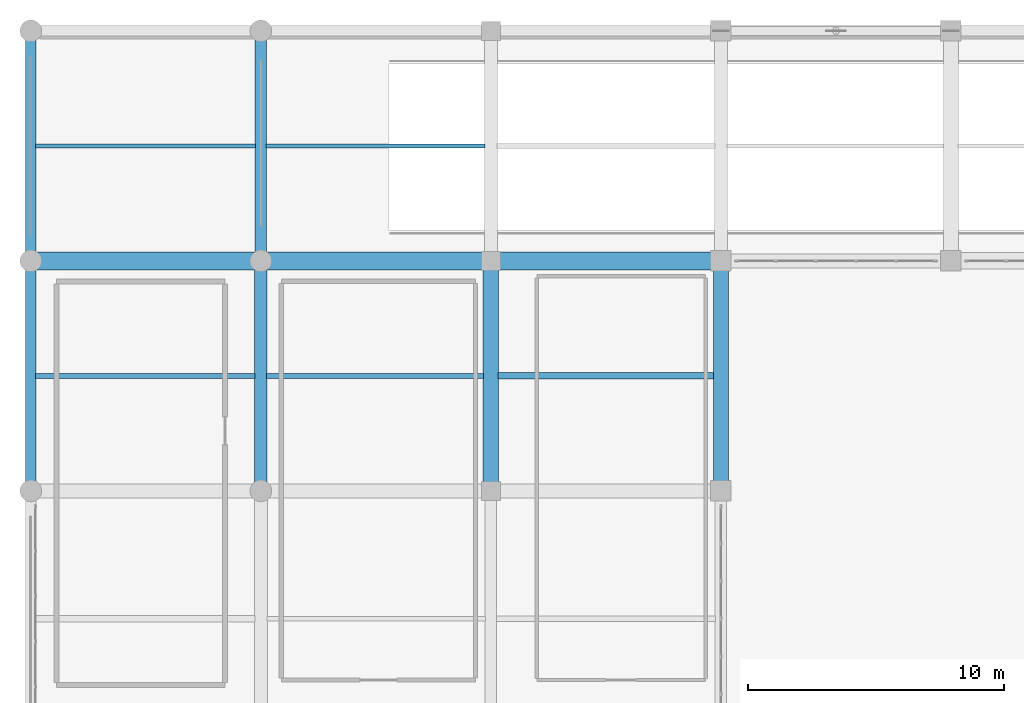
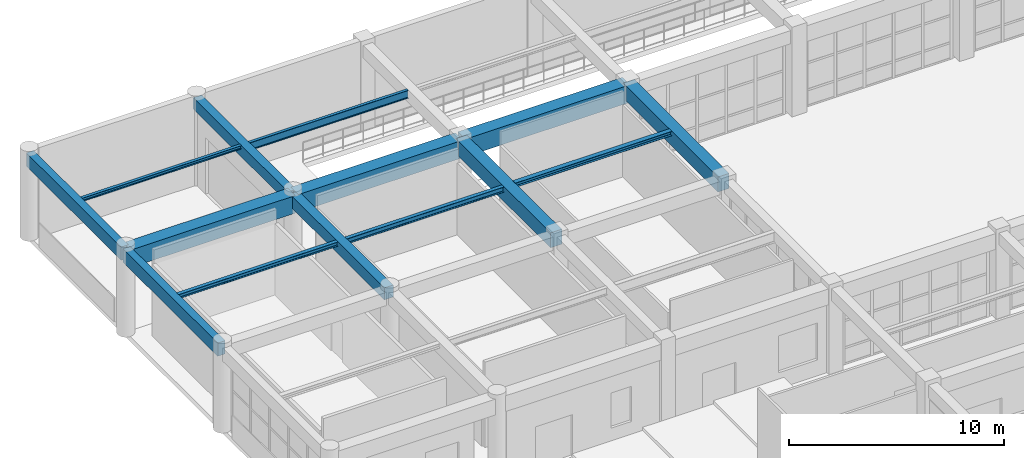
# One storey, part 59 of 128: 14 beams.
"""IFC4 building model written with IfcOpenShell, lengths in metres."""

from ifc_helpers import new_model, si_unit, direction, frame, origin, origin_2d, place, context, subcontext, project, spatial, rectangle, i_section, extrude, material, material_profile, profile_set, type_object, element, save


model = new_model("IFC4")

# Units and contexts
model_context = context("Model", 3, precision=1e-05, world=origin(), true_north=direction((0.0, 1.0)))
body_context = subcontext(model_context, "Body", "Model", "MODEL_VIEW")
ifc_project = project(units=[si_unit("LENGTHUNIT", "METRE"), si_unit("AREAUNIT", "SQUARE_METRE"), si_unit("VOLUMEUNIT", "CUBIC_METRE"), si_unit("PLANEANGLEUNIT", "RADIAN"), si_unit("MASSUNIT", "GRAM", prefix="KILO")], contexts=[model_context])

# Site, building, storey
site_placement = place(None, origin())
site = spatial("IfcSite", under=ifc_project, at=site_placement, CompositionType="ELEMENT")
building_placement = place(site_placement, origin())
building = spatial("IfcBuilding", under=site, at=building_placement, Name="Miravela Opera House", CompositionType="ELEMENT")
storey_placement = place(building_placement, origin())
storey = spatial("IfcBuildingStorey", under=building, at=storey_placement, Name="L00", CompositionType="ELEMENT", Elevation=0.0)

# Beams
ifc_material_1 = material(Name="Concrete C35/45", Category="concrete")
ifc_material_profile_1 = material_profile(ifc_material_1, rectangle(XDim=0.449951171875, YDim=0.64990234375, at=origin_2d()), Name="RC-BM-450X650")
ifc_profile_set_1 = profile_set([ifc_material_profile_1])
beam_type_1 = type_object("IfcBeamType", Name="STR-BM-RC450X650", PredefinedType="BEAM", material=ifc_profile_set_1)
beam_1_placement = place(storey_placement, frame((9.0, 103.080078125, 4.52490234375), z_axis=(0.0, 1.0, 0.0), x_axis=(-1.0, 0.0, 0.0)))
element("IfcBeam", 1, at=beam_1_placement, inside=storey, type_object=beam_type_1, Name="Floor Girder L00 2/L-M", PredefinedType="BEAM", context=body_context, shape_type="SweptSolid", body=[
    extrude(rectangle(XDim=0.449951171875, YDim=0.64990234375, at=origin_2d()), origin(), (0.0, 0.0, 1.0), 8.83984375),
])
ifc_material_profile_2 = material_profile(ifc_material_1, rectangle(XDim=0.47998046875, YDim=0.679931640625, at=origin_2d()), Name="RC-BM-480X680")
ifc_profile_set_2 = profile_set([ifc_material_profile_2])
beam_type_2 = type_object("IfcBeamType", Name="STR-BM-RC480X680", PredefinedType="BEAM", material=ifc_profile_set_2)
beam_2_placement = place(storey_placement, frame((9.0, 94.080078125, 4.510009765625), z_axis=(0.0, 1.0, 0.0), x_axis=(-1.0, 0.0, 0.0)))
element("IfcBeam", 2, at=beam_2_placement, inside=storey, type_object=beam_type_2, Name="Floor Girder L00 2/K-L", PredefinedType="BEAM", context=body_context, shape_type="SweptSolid", body=[
    extrude(rectangle(XDim=0.47998046875, YDim=0.679931640625, at=origin_2d()), origin(), (0.0, 0.0, 1.0), 8.83984375),
])
ifc_material_2 = material(Name="Concrete C40/50", Category="concrete")
ifc_material_profile_3 = material_profile(ifc_material_2, rectangle(XDim=0.60009765625, YDim=0.85009765625, at=origin_2d()), Name="RC-BM-600X850")
ifc_profile_set_3 = profile_set([ifc_material_profile_3])
beam_type_3 = type_object("IfcBeamType", Name="STR-BM-RC600X850", PredefinedType="BEAM", material=ifc_profile_set_3)
for number, where, z_axis, x_axis, name in (
    (3, (18.0, 94.080078125, 4.425048828125), (0.0, 1.0, 0.0), (-1.0, 0.0, 0.0), "Floor Girder L00 3/K-L"),
    (4, (27.0, 94.080078125, 4.445068359375), (0.0, 1.0, 0.0), (-1.0, 0.0, 0.0), "Floor Girder L00 4/K-L"),
):
    element("IfcBeam", number, at=place(storey_placement, frame(where, z_axis=z_axis, x_axis=x_axis)), inside=storey, type_object=beam_type_3, Name=name, PredefinedType="BEAM", context=body_context, shape_type="SweptSolid", body=[
        extrude(rectangle(XDim=0.60009765625, YDim=0.85009765625, at=origin_2d()), origin(), (0.0, 0.0, 1.0), 8.83984375),
    ])
ifc_material_profile_4 = material_profile(ifc_material_2, rectangle(XDim=0.699951171875, YDim=1.0, at=origin_2d()), Name="RC-BM-700X1000")
ifc_profile_set_4 = profile_set([ifc_material_profile_4])
beam_type_4 = type_object("IfcBeamType", Name="STR-BM-RC700X1000", PredefinedType="BEAM", material=ifc_profile_set_4)
for number, where, z_axis, x_axis, name in (
    (5, (0.080078125, 103.0, 4.35009765625), (1.0, 0.0, 0.0), (0.0, 1.0, 0.0), "Floor Girder L00 1-2/L"),
    (6, (9.080078125, 103.0, 4.35009765625), (1.0, 0.0, 0.0), (0.0, 1.0, 0.0), "Floor Girder L00 2-3/L"),
    (7, (18.080078125, 103.0, 4.35009765625), (1.0, 0.0, 0.0), (0.0, 1.0, 0.0), "Floor Girder L00 3-4/L"),
):
    element("IfcBeam", number, at=place(storey_placement, frame(where, z_axis=z_axis, x_axis=x_axis)), inside=storey, type_object=beam_type_4, Name=name, PredefinedType="BEAM", context=body_context, shape_type="SweptSolid", body=[
        extrude(rectangle(XDim=0.699951171875, YDim=1.0, at=origin_2d()), origin(), (0.0, 0.0, 1.0), 8.83984375),
    ])
ifc_material_3 = material(Name="Structural steel ASTM A992 Gr. 50", Category="steel")
ifc_material_profile_5 = material_profile(ifc_material_3, i_section(OverallWidth=0.1650390625, OverallDepth=0.200927734375, WebThickness=0.006103515625, FlangeThickness=0.01025390625, FilletRadius=0.010009765625, at=origin_2d()), Name="W200X36")
ifc_profile_set_5 = profile_set([ifc_material_profile_5])
beam_type_5 = type_object("IfcBeamType", Name="STR-BM-W200X36", PredefinedType="LINTEL", material=ifc_profile_set_5)
beam_3_placement = place(storey_placement, frame((0.18505859375, 107.5, 4.74951171875), z_axis=(1.0, 0.0, 0.0), x_axis=(0.0, 1.0, 0.0)))
element("IfcBeam", 8, at=beam_3_placement, inside=storey, type_object=beam_type_5, Name="Secondary Floor Joist L00 1-2/L-M", PredefinedType="LINTEL", context=body_context, shape_type="SweptSolid", body=[
    extrude(i_section(OverallWidth=0.1650390625, OverallDepth=0.200927734375, WebThickness=0.006103515625, FlangeThickness=0.01025390625, FilletRadius=0.010009765625, at=origin_2d()), origin(), (0.0, 0.0, 1.0), 8.60498046875),
])
ifc_material_profile_6 = material_profile(ifc_material_3, i_section(OverallWidth=0.201904296875, OverallDepth=0.2470703125, WebThickness=0.00732421875, FlangeThickness=0.010986328125, FilletRadius=0.011962890625, at=origin_2d()), Name="W250X49")
ifc_profile_set_6 = profile_set([ifc_material_profile_6])
beam_type_6 = type_object("IfcBeamType", Name="STR-BM-W250X49", PredefinedType="LINTEL", material=ifc_profile_set_6)
beam_4_placement = place(storey_placement, frame((0.18505859375, 98.5, 4.7265625), z_axis=(1.0, 0.0, 0.0), x_axis=(0.0, 1.0, 0.0)))
element("IfcBeam", 9, at=beam_4_placement, inside=storey, type_object=beam_type_6, Name="Secondary Floor Joist L00 1-2/K-L", PredefinedType="LINTEL", context=body_context, shape_type="SweptSolid", body=[
    extrude(i_section(OverallWidth=0.201904296875, OverallDepth=0.2470703125, WebThickness=0.00732421875, FlangeThickness=0.010986328125, FilletRadius=0.011962890625, at=origin_2d()), origin(), (0.0, 0.0, 1.0), 8.58984375),
])
ifc_material_profile_7 = material_profile(ifc_material_3, i_section(OverallWidth=0.25390625, OverallDepth=0.2529296875, WebThickness=0.008544921875, FlangeThickness=0.01416015625, FilletRadius=0.011962890625, at=origin_2d()), Name="W250X73")
ifc_profile_set_7 = profile_set([ifc_material_profile_7])
beam_type_7 = type_object("IfcBeamType", Name="STR-BM-W250X73", PredefinedType="JOIST", material=ifc_profile_set_7)
beam_5_placement = place(storey_placement, frame((18.284912109375, 98.5, 4.743408203125), z_axis=(1.0, 0.0, 0.0), x_axis=(0.0, 1.0, 0.0)))
element("IfcBeam", 10, at=beam_5_placement, inside=storey, type_object=beam_type_7, Name="Secondary Floor Joist L00 3-4/K-L", PredefinedType="JOIST", context=body_context, shape_type="SweptSolid", body=[
    extrude(i_section(OverallWidth=0.25390625, OverallDepth=0.2529296875, WebThickness=0.008544921875, FlangeThickness=0.01416015625, FilletRadius=0.011962890625, at=origin_2d()), origin(), (0.0, 0.0, 1.0), 8.43017578125),
])
ifc_material_profile_8 = material_profile(ifc_material_3, i_section(OverallWidth=0.202880859375, OverallDepth=0.302978515625, WebThickness=0.007568359375, FlangeThickness=0.01318359375, FilletRadius=0.012939453125, at=origin_2d()), Name="W310X60")
ifc_profile_set_8 = profile_set([ifc_material_profile_8])
beam_type_8 = type_object("IfcBeamType", Name="STR-BM-W310X60", PredefinedType="JOIST", material=ifc_profile_set_8)
beam_6_placement = place(storey_placement, frame((9.22509765625, 98.5, 4.698486328125), z_axis=(1.0, 0.0, 0.0), x_axis=(0.0, 1.0, 0.0)))
element("IfcBeam", 11, at=beam_6_placement, inside=storey, type_object=beam_type_8, Name="Secondary Floor Joist L00 2-3/K-L", PredefinedType="JOIST", context=body_context, shape_type="SweptSolid", body=[
    extrude(i_section(OverallWidth=0.202880859375, OverallDepth=0.302978515625, WebThickness=0.007568359375, FlangeThickness=0.01318359375, FilletRadius=0.012939453125, at=origin_2d()), origin(), (0.0, 0.0, 1.0), 8.489990234375),
])
ifc_material_profile_9 = material_profile(ifc_material_3, i_section(OverallWidth=0.154052734375, OverallDepth=0.458984375, WebThickness=0.009033203125, FlangeThickness=0.015380859375, FilletRadius=0.013916015625, at=origin_2d()), Name="W460X68")
ifc_profile_set_9 = profile_set([ifc_material_profile_9])
beam_type_9 = type_object("IfcBeamType", Name="STR-BM-W460X68", PredefinedType="JOIST", material=ifc_profile_set_9)
beam_7_placement = place(storey_placement, frame((9.2099609375, 107.5, 4.62060546875), z_axis=(1.0, 0.0, 0.0), x_axis=(0.0, 1.0, 0.0)))
element("IfcBeam", 12, at=beam_7_placement, inside=storey, type_object=beam_type_9, Name="Secondary Floor Joist L00 2-3/L-M", PredefinedType="JOIST", context=body_context, shape_type="SweptSolid", body=[
    extrude(i_section(OverallWidth=0.154052734375, OverallDepth=0.458984375, WebThickness=0.009033203125, FlangeThickness=0.015380859375, FilletRadius=0.013916015625, at=origin_2d()), origin(), (0.0, 0.0, 1.0), 8.554931640625),
])
ifc_material_profile_10 = material_profile(ifc_material_1, rectangle(XDim=0.39990234375, YDim=0.75, at=origin_2d()), Name="RC-SPN-400X750")
ifc_profile_set_10 = profile_set([ifc_material_profile_10])
beam_type_10 = type_object("IfcBeamType", Name="STR-SPN-RC400X750", PredefinedType="SPANDREL", material=ifc_profile_set_10)
for number, where, z_axis, x_axis, name in (
    (13, (0.0, 94.080078125, 4.47509765625), (0.0, 1.0, 0.0), (-1.0, 0.0, 0.0), "Floor Girder L00 1/K-L"),
    (14, (0.0, 103.080078125, 4.47509765625), (0.0, 1.0, 0.0), (-1.0, 0.0, 0.0), "Floor Girder L00 1/L-M"),
):
    element("IfcBeam", number, at=place(storey_placement, frame(where, z_axis=z_axis, x_axis=x_axis)), inside=storey, type_object=beam_type_10, Name=name, PredefinedType="SPANDREL", context=body_context, shape_type="SweptSolid", body=[
        extrude(rectangle(XDim=0.39990234375, YDim=0.75, at=origin_2d()), origin(), (0.0, 0.0, 1.0), 8.83984375),
    ])

save(model, "model.ifc")
